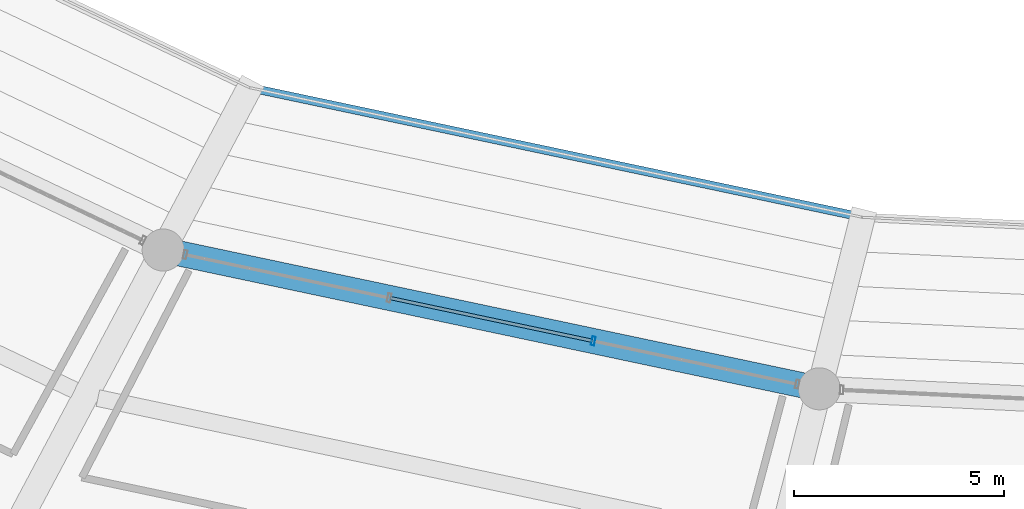
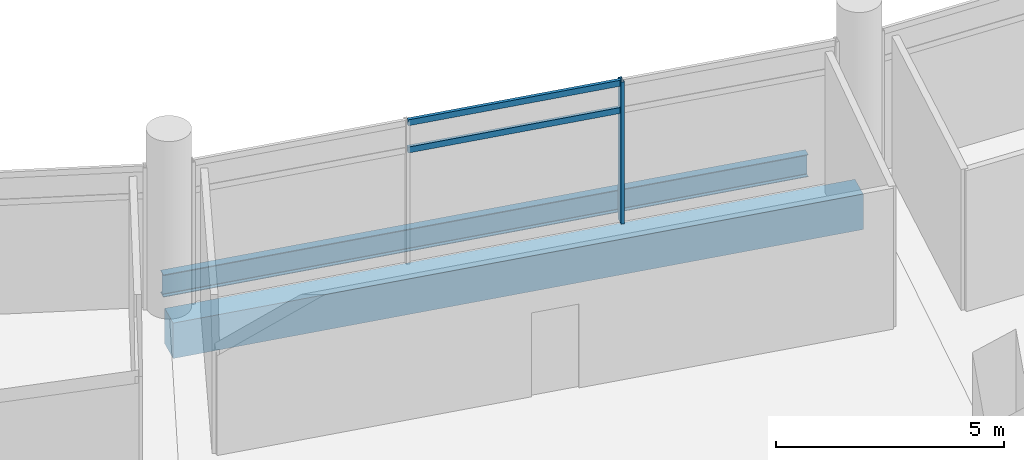
# One storey, part 22 of 171: 3 members, 2 beams, 1 element without a shape of its own.
"""IFC4 building model written with IfcOpenShell, lengths in metres."""

import ifcopenshell
import ifcopenshell.guid

model = None  # the IFC model being written
_history = None  # IfcOwnerHistory: only IFC2X3 demands one
_inside = {}  # id of a spatial element -> (the spatial element, [elements in it])
_under = {}  # id of a project, library or spatial element -> (it, [spatial elements below it])
_declared = {}  # id of a project -> (the project, [libraries it declares])
_typed = {}  # id of a type object -> (the type object, [elements of that type])
_made_of = {}  # id of a material, layer set ... -> (it, [elements and type objects made of it])


def new_model(schema):
    """Start an empty IFC model of exactly this schema.

    Asked for "IFC4X3", IfcOpenShell would pick the latest addendum, in which some entities
    have other attributes; the version numbers below select the first issue.
    IFC2X3 requires an IfcOwnerHistory on every rooted entity: one is made here for all.
    """
    global model, _history
    if schema == "IFC4X3":
        model = ifcopenshell.file(schema_version=(4, 3, 0, 0))
    else:
        model = ifcopenshell.file(schema=schema)
    _inside.clear()
    _under.clear()
    _declared.clear()
    _typed.clear()
    _made_of.clear()
    _history = None
    if model.schema == "IFC2X3":
        org = make("IfcOrganization", Name="unknown")
        user = make(
            "IfcPersonAndOrganization",
            ThePerson=make("IfcPerson", FamilyName="unknown"),
            TheOrganization=org,
        )
        app = make(
            "IfcApplication",
            ApplicationDeveloper=org,
            Version="unknown",
            ApplicationFullName="unknown",
            ApplicationIdentifier="unknown",
        )
        _history = make(
            "IfcOwnerHistory",
            OwningUser=user,
            OwningApplication=app,
            ChangeAction="ADDED",
            CreationDate=0,
        )
    return model


def make(cls, **values):
    """One entity of the class cls with the attributes given. An attribute that is None is left unset."""
    return model.create_entity(
        cls, **{name: value for name, value in values.items() if value is not None}
    )


def rooted(cls, **values):
    """An entity with a GlobalId (a new one), such as an element, a storey or a relation."""
    return make(cls, GlobalId=ifcopenshell.guid.new(), OwnerHistory=_history, **values)


def si_unit(unit_type, name, prefix=None):
    """IfcSIUnit, for example si_unit("LENGTHUNIT", "METRE", prefix="MILLI")."""
    return make("IfcSIUnit", UnitType=unit_type, Prefix=prefix, Name=name)


def assignment(units):
    """IfcUnitAssignment: the units of a project."""
    return None if units is None else make("IfcUnitAssignment", Units=units)


def point(xyz):
    """IfcCartesianPoint."""
    return None if xyz is None else make("IfcCartesianPoint", Coordinates=xyz)


def direction(xyz):
    """IfcDirection."""
    return None if xyz is None else make("IfcDirection", DirectionRatios=xyz)


def frame(location, z_axis=None, x_axis=None):
    """IfcAxis2Placement3D, a coordinate frame: its origin and axes. An axis left out is left unset."""
    return make(
        "IfcAxis2Placement3D",
        Location=point(location),
        Axis=direction(z_axis),
        RefDirection=direction(x_axis),
    )


def frame_2d(location, x_axis=None):
    """IfcAxis2Placement2D, a coordinate frame in the plane: its origin and x axis."""
    return make(
        "IfcAxis2Placement2D", Location=point(location), RefDirection=direction(x_axis)
    )


def origin():
    """The frame at (0, 0, 0) with its axes left unset."""
    return frame((0.0, 0.0, 0.0))


def origin_2d():
    """The frame at (0, 0) in the plane with its x axis left unset."""
    return frame_2d((0.0, 0.0))


def place(relative_to, where):
    """IfcLocalPlacement: puts the frame where relative to a parent placement (None: the world)."""
    return make(
        "IfcLocalPlacement", PlacementRelTo=relative_to, RelativePlacement=where
    )


def context(
    kind, dimensions, precision=None, world=None, true_north=None, identifier=None
):
    """IfcGeometricRepresentationContext, for example the 3D "Model" context."""
    return make(
        "IfcGeometricRepresentationContext",
        ContextIdentifier=identifier,
        ContextType=kind,
        CoordinateSpaceDimension=dimensions,
        Precision=precision,
        WorldCoordinateSystem=world,
        TrueNorth=true_north,
    )


def subcontext(parent, identifier, kind, view, scale=None):
    """IfcGeometricRepresentationSubContext, for example "Body" below "Model"."""
    return make(
        "IfcGeometricRepresentationSubContext",
        ContextIdentifier=identifier,
        ContextType=kind,
        ParentContext=parent,
        TargetScale=scale,
        TargetView=view,
    )


def project(units=None, contexts=None):
    """IfcProject with its units and contexts."""
    return rooted(
        "IfcProject",
        Name="project",
        RepresentationContexts=contexts,
        UnitsInContext=assignment(units),
    )


def spatial(cls, under=None, at=None, **own):
    """A site, building, storey or space (cls), placed at a placement, below another one or the project."""
    s = rooted(cls, ObjectPlacement=at, **own)
    if under is not None:
        _under.setdefault(under.id(), (under, []))[1].append(s)
    return s


def profile(cls, at=None, kind="AREA", **sizes):
    """A parametric profile (cls). Its sizes go by their IFC names, for example OverallWidth=200.0."""
    return make(cls, ProfileType=kind, Position=at, **sizes)


def rectangle(**sizes):
    """IfcRectangleProfileDef."""
    return profile("IfcRectangleProfileDef", **sizes)


def hollow_rectangle(**sizes):
    """IfcRectangleHollowProfileDef."""
    return profile("IfcRectangleHollowProfileDef", **sizes)


def i_section(**sizes):
    """IfcIShapeProfileDef."""
    return profile("IfcIShapeProfileDef", **sizes)


def extrude(swept, where, along, depth):
    """IfcExtrudedAreaSolid: the profile swept, set in the frame where, extruded along a direction by depth."""
    return make(
        "IfcExtrudedAreaSolid",
        SweptArea=swept,
        Position=where,
        ExtrudedDirection=direction(along),
        Depth=depth,
    )


def shape(context_of_items, identifier, shape_type, items):
    """IfcShapeRepresentation: the items that make up one representation, for example the "Body"."""
    return make(
        "IfcShapeRepresentation",
        ContextOfItems=context_of_items,
        RepresentationIdentifier=identifier,
        RepresentationType=shape_type,
        Items=items,
    )


def material(Name=None, Category=None):
    """IfcMaterial."""
    return make("IfcMaterial", Name=Name, Category=Category)


def layer(
    of_material, thickness, ventilated=None, Name=None, Category=None, Priority=None
):
    """IfcMaterialLayer: one layer of a wall or slab, of a material (None: an air gap)."""
    return make(
        "IfcMaterialLayer",
        Material=of_material,
        LayerThickness=thickness,
        IsVentilated=ventilated,
        Name=Name,
        Category=Category,
        Priority=Priority,
    )


def layer_set(layers, Name=None):
    """IfcMaterialLayerSet."""
    return make("IfcMaterialLayerSet", MaterialLayers=layers, LayerSetName=Name)


def material_profile(
    of_material, cross_section, Name=None, Category=None, Priority=None
):
    """IfcMaterialProfile: a cross section and its material."""
    return make(
        "IfcMaterialProfile",
        Name=Name,
        Material=of_material,
        Profile=cross_section,
        Priority=Priority,
        Category=Category,
    )


def profile_set(profiles, Name=None, composite=None):
    """IfcMaterialProfileSet."""
    return make(
        "IfcMaterialProfileSet",
        Name=Name,
        MaterialProfiles=profiles,
        CompositeProfile=composite,
    )


def made_of(thing, what):
    """Note that an element or type object is made of a material, layer set ...; save() writes the relation."""
    if what is not None:
        _made_of.setdefault(what.id(), (what, []))[1].append(thing)
    return thing


def type_object(cls, material=None, **own):
    """A type object (cls), such as IfcWallType, which elements share."""
    return made_of(rooted(cls, **own), material)


def element(
    cls,
    number,
    at=None,
    inside=None,
    cuts=None,
    type_object=None,
    material=None,
    context=None,
    identifier="Body",
    shape_type=None,
    held_by="IfcProductDefinitionShape",
    body=None,
    shapes=None,
    **own,
):
    """One element of the class cls, such as IfcWall. Its Tag is "e" and its number.

    at: its placement. inside: the storey or other place that contains it. cuts: it is an
    opening in that element (IfcRelVoidsElement). A single representation is given by context,
    identifier, shape_type and body (its items); several are given by shapes. held_by: the class
    of the entity that holds the representations. save() writes the other relations.
    """
    e = rooted(cls, Tag="e%d" % number, ObjectPlacement=at, **own)
    if body is not None:
        shapes = [shape(context, identifier, shape_type, body)]
    if shapes is not None:
        e.Representation = make(held_by, Representations=shapes)
    if inside is not None:
        _inside.setdefault(inside.id(), (inside, []))[1].append(e)
    if cuts is not None:
        rooted(
            "IfcRelVoidsElement", RelatingBuildingElement=cuts, RelatedOpeningElement=e
        )
    if type_object is not None:
        _typed.setdefault(type_object.id(), (type_object, []))[1].append(e)
    return made_of(e, material)


def aggregate(whole, parts):
    """IfcRelAggregates: a whole, such as a stair, and the parts it consists of."""
    return rooted("IfcRelAggregates", RelatingObject=whole, RelatedObjects=parts)


def save(model, path):
    """Write the relations noted so far, then the file.

    IfcRelAggregates (storeys below a building ...), IfcRelContainedInSpatialStructure (elements
    in a storey), IfcRelDefinesByType, IfcRelAssociatesMaterial and IfcRelDeclares: one each for
    every whole, place, type object, material and project.
    """
    for whole, parts in _under.values():
        aggregate(whole, parts)
    for where, things in _inside.values():
        rooted(
            "IfcRelContainedInSpatialStructure",
            RelatedElements=things,
            RelatingStructure=where,
        )
    for kind, things in _typed.values():
        rooted("IfcRelDefinesByType", RelatedObjects=things, RelatingType=kind)
    for what, things in _made_of.values():
        rooted("IfcRelAssociatesMaterial", RelatedObjects=things, RelatingMaterial=what)
    for by, libraries in _declared.values():
        rooted("IfcRelDeclares", RelatingContext=by, RelatedDefinitions=libraries)
    model.write(path)


model = new_model("IFC4")

# Units and contexts
model_context = context("Model", 3, precision=1e-05, world=origin(), true_north=direction((0.0, 1.0)))
body_context = subcontext(model_context, "Body", "Model", "MODEL_VIEW")
ifc_project = project(units=[si_unit("LENGTHUNIT", "METRE"), si_unit("AREAUNIT", "SQUARE_METRE"), si_unit("VOLUMEUNIT", "CUBIC_METRE"), si_unit("PLANEANGLEUNIT", "RADIAN"), si_unit("MASSUNIT", "GRAM", prefix="KILO")], contexts=[model_context])

# Site, building, storey
site_placement = place(None, origin())
site = spatial("IfcSite", under=ifc_project, at=site_placement, CompositionType="ELEMENT")
building_placement = place(site_placement, origin())
building = spatial("IfcBuilding", under=site, at=building_placement, Name="Kazemori Nagisa Stadium", CompositionType="ELEMENT")
storey_placement = place(building_placement, frame((0.0, 0.0, 15.639892578125)))
storey = spatial("IfcBuildingStorey", under=building, at=storey_placement, Name="L03", CompositionType="ELEMENT", Elevation=15.639892578125)

# Beams
ifc_material_1 = material(Name="Concrete C40/50 (Fc42)", Category="concrete")
ifc_material_profile_1 = material_profile(ifc_material_1, rectangle(XDim=0.60009765625, YDim=0.949951171875, at=origin_2d()), Name="RC-BM-600x950")
ifc_profile_set_1 = profile_set([ifc_material_profile_1], Name="Concrete C40/50 (Fc42)")
beam_type_1 = type_object("IfcBeamType", Name="Beam_BG-RC600X950", PredefinedType="BEAM", material=ifc_profile_set_1)
beam_1_placement = place(storey_placement, frame((91.75244140625, 43.260986328125, -0.73486328125), z_axis=(0.978348272746, -0.206965352692, 0.0), x_axis=(0.206965352692, 0.978348272746, 0.0)))
element("IfcBeam", 1, at=beam_1_placement, inside=storey, type_object=beam_type_1, Name="Ring girder BG-RC600X950 L03 R1-20", PredefinedType="BEAM", context=body_context, shape_type="SweptSolid", body=[
    extrude(rectangle(XDim=0.60009765625, YDim=0.949951171875, at=origin_2d()), origin(), (0.0, 0.0, 1.0), 15.950927734375),
])
ifc_material_2 = material(Name="Steel SN490B", Category="steel")
ifc_material_profile_2 = material_profile(ifc_material_2, i_section(OverallWidth=0.199951171875, OverallDepth=0.60009765625, WebThickness=0.010986328125, FlangeThickness=0.01708984375, FilletRadius=0.012939453125, at=origin_2d()), Name="H-600x200x11x17")
ifc_profile_set_2 = profile_set([ifc_material_profile_2], Name="Steel SN490B")
beam_type_2 = type_object("IfcBeamType", Name="Beam_BS-H600", PredefinedType="SPANDREL", material=ifc_profile_set_2)
beam_2_placement = place(storey_placement, frame((93.80712890625, 47.123291015625, -2.46484375), z_axis=(0.978347151304, -0.206970653802, 0.0), x_axis=(0.206970653802, 0.978347151304, 0.0)))
element("IfcBeam", 2, at=beam_2_placement, inside=storey, type_object=beam_type_2, Name="Club tier front edge beam 20", PredefinedType="SPANDREL", context=body_context, shape_type="SweptSolid", body=[
    extrude(i_section(OverallWidth=0.199951171875, OverallDepth=0.60009765625, WebThickness=0.010986328125, FlangeThickness=0.01708984375, FilletRadius=0.012939453125, at=origin_2d()), origin(), (0.0, 0.0, 1.0), 14.90185546875),
])

# Curtain wall, members
ifc_material_3 = material(Name="Anodised aluminium 6063-T5", Category="aluminium")
ifc_layer = layer(ifc_material_3, 0.2099609375, Name="Anodised aluminium 6063-T5", Category="aluminium")
ifc_layer_set = layer_set([ifc_layer], Name="Anodised aluminium 6063-T5")
curtain_wall_type = type_object("IfcCurtainWallType", Name="CW_L03B_75", PredefinedType="USERDEFINED", material=ifc_layer_set)
curtain_wall_placement = place(storey_placement, origin())
curtain_wall = element("IfcCurtainWall", 3, at=curtain_wall_placement, inside=storey, type_object=curtain_wall_type, Name="Unitised curtain wall CW-L03B-75 L03", ObjectType="UNITISED CURTAIN WALL", PredefinedType="USERDEFINED")
ifc_material_4 = material(Name="Aluminium 6063-T5 anodised", Category="aluminium")
ifc_material_profile_3 = material_profile(ifc_material_4, hollow_rectangle(XDim=0.080078125, YDim=0.2099609375, WallThickness=0.0048828125, at=origin_2d()), Name="ALU-MULL-80x210x5")
ifc_profile_set_3 = profile_set([ifc_material_profile_3], Name="Aluminium 6063-T5 anodised")
member_type_1 = type_object("IfcMemberType", Name="Mullion_M02", PredefinedType="MULLION", material=ifc_profile_set_3)
member_1_placement = place(storey_placement, frame((101.981689453125, 41.096923828125, 0.0), z_axis=(0.0, 0.0, 1.0), x_axis=(0.978344955407, -0.206981033502, 0.0)))
member_1 = element("IfcMember", 4, at=member_1_placement, type_object=member_type_1, Name="Curtain wall mullion CW-L03B-75-M3", PredefinedType="MULLION", context=body_context, shape_type="SweptSolid", body=[
    extrude(hollow_rectangle(XDim=0.080078125, YDim=0.2099609375, WallThickness=0.0048828125, at=origin_2d()), origin(), (0.0, 0.0, 1.0), 3.81005859375),
])
ifc_material_profile_4 = material_profile(ifc_material_4, hollow_rectangle(XDim=0.080078125, YDim=0.159912109375, WallThickness=0.00390625, at=origin_2d()), Name="ALU-TRAN-80x160x4")
ifc_profile_set_4 = profile_set([ifc_material_profile_4], Name="Aluminium 6063-T5 anodised")
member_type_2 = type_object("IfcMemberType", Name="Transom_T02", PredefinedType="USERDEFINED", material=ifc_profile_set_4)
member_2_placement = place(storey_placement, frame((97.1484375, 42.11962890625, 3.010009765625), z_axis=(0.978336562441, -0.207020700878, 0.0), x_axis=(0.207020700878, 0.978336562441, 0.0)))
member_2 = element("IfcMember", 5, at=member_2_placement, type_object=member_type_2, Name="Curtain wall transom CW-L03B-75-T2-mid", ObjectType="TRANSOM", PredefinedType="USERDEFINED", context=body_context, shape_type="SweptSolid", body=[
    extrude(hollow_rectangle(XDim=0.080078125, YDim=0.159912109375, WallThickness=0.00390625, at=origin_2d()), origin(), (0.0, 0.0, 1.0), 4.920166015625),
])
member_3_placement = place(storey_placement, frame((97.1484375, 42.11962890625, 3.739990234375), z_axis=(0.978336562441, -0.207020700878, 0.0), x_axis=(0.207020700878, 0.978336562441, 0.0)))
member_3 = element("IfcMember", 6, at=member_3_placement, type_object=member_type_2, Name="Curtain wall transom CW-L03B-75-T2-head", ObjectType="TRANSOM", PredefinedType="USERDEFINED", context=body_context, shape_type="SweptSolid", body=[
    extrude(hollow_rectangle(XDim=0.080078125, YDim=0.159912109375, WallThickness=0.00390625, at=origin_2d()), origin(), (0.0, 0.0, 1.0), 4.920166015625),
])
aggregate(curtain_wall, [member_1, member_2, member_3])

save(model, "model.ifc")
